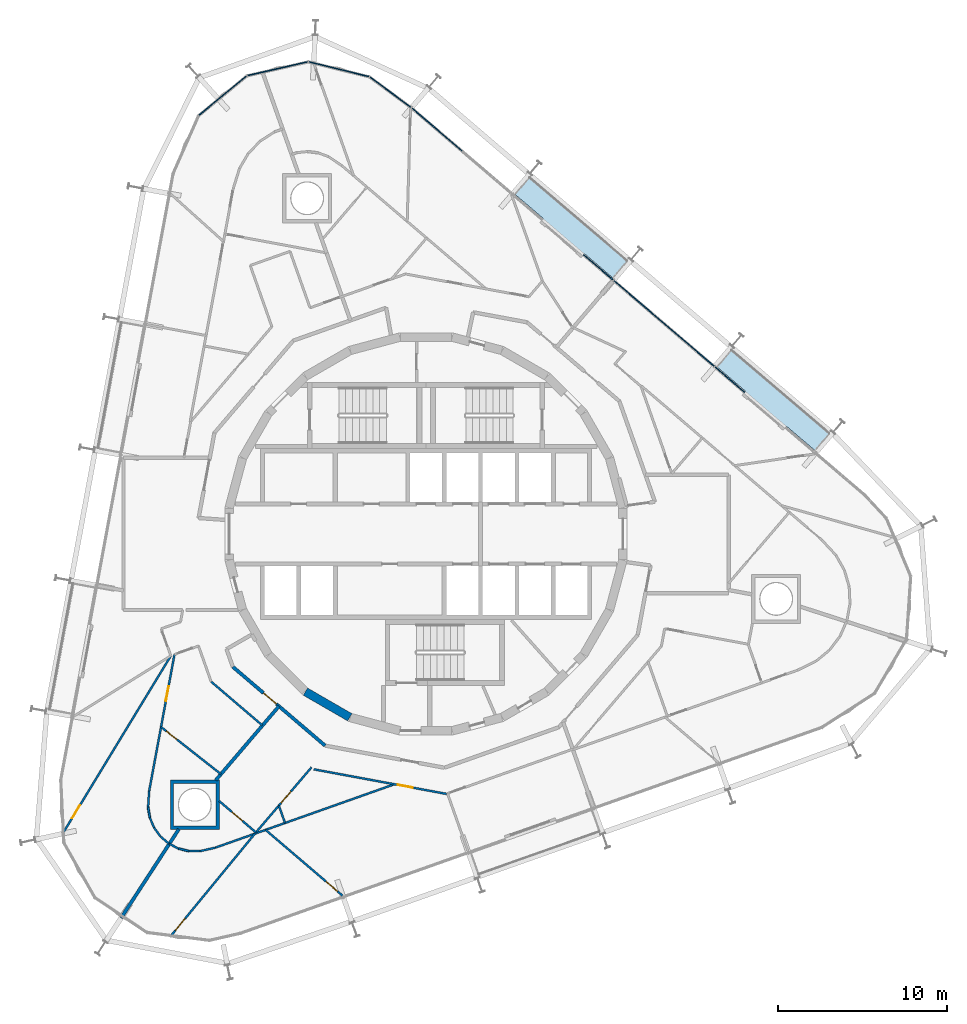
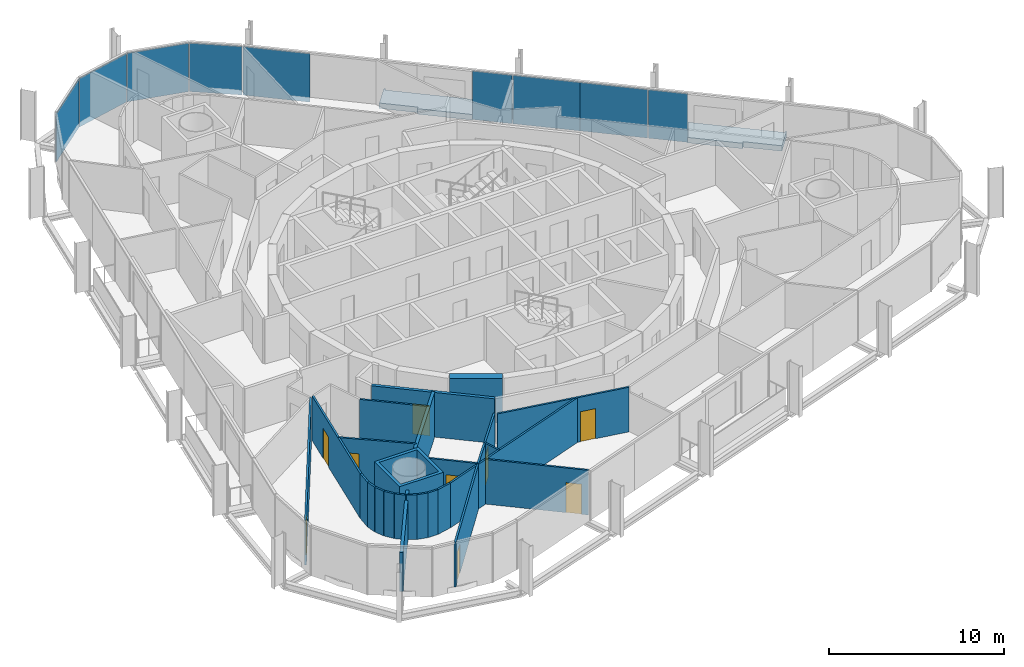
# One storey, part 10 of 17: 25 walls, 9 doors, 9 plates, 2 slabs, 9 openings, 2 elements without a shape of their own.
"""IFC4 building model written with IfcOpenShell, lengths in metres."""

from ifc_helpers import new_model, si_unit, direction, frame, frame_2d, origin, origin_2d, place, context, subcontext, project, spatial, polyline, rectangle, outline, extrude, material, layer, layer_set, type_object, element, fill, aggregate, save


model = new_model("IFC4")

# Units and contexts
model_context = context("Model", 3, precision=1e-05, world=origin(), true_north=direction((0.0, 1.0)))
body_context = subcontext(model_context, "Body", "Model", "MODEL_VIEW")
ifc_project = project(units=[si_unit("LENGTHUNIT", "METRE"), si_unit("AREAUNIT", "SQUARE_METRE"), si_unit("VOLUMEUNIT", "CUBIC_METRE"), si_unit("PLANEANGLEUNIT", "RADIAN"), si_unit("MASSUNIT", "GRAM", prefix="KILO")], contexts=[model_context])

# Site, building, storey
site_placement = place(None, origin())
site = spatial("IfcSite", under=ifc_project, at=site_placement, CompositionType="ELEMENT")
building_placement = place(site_placement, origin())
building = spatial("IfcBuilding", under=site, at=building_placement, Name="Spindle Arch Residences", CompositionType="ELEMENT")
storey_placement = place(building_placement, frame((0.0, 0.0, 169.199951171875)))
storey = spatial("IfcBuildingStorey", under=building, at=storey_placement, Name="L42", CompositionType="ELEMENT", Elevation=169.199951171875)

# Slabs
ifc_material_1 = material(Name="Concrete C40/50", Category="concrete")
ifc_layer_1 = layer(ifc_material_1, 0.3798828125)
ifc_layer_set_1 = layer_set([ifc_layer_1], Name="Balcony slab 380")
slab_type = type_object("IfcSlabType", Name="Balcony slab 380", PredefinedType="FLOOR", material=ifc_layer_set_1)
slab_1_placement = place(storey_placement, frame((0.0, 0.0, -0.3798828125)))
element("IfcSlab", 1, at=slab_1_placement, inside=storey, type_object=slab_type, Name="Balcony L42 bay 6", PredefinedType="FLOOR", context=body_context, shape_type="SweptSolid", body=[
    extrude(outline(polyline([(24.00830078125, 6.037353515625), (23.951171875, 6.0859375), (23.853759765625, 5.971923828125), (18.105224609375, 10.8818359375), (18.20263671875, 10.995849609375), (18.1455078125, 11.044677734375), (17.177734375, 9.91162109375), (18.892578125, 8.447021484375), (18.78857421875, 8.325439453125), (21.221923828125, 6.2470703125), (21.325927734375, 6.368896484375), (23.04052734375, 4.904296875), (24.00830078125, 6.037353515625)])), origin(), (0.0, 0.0, 1.0), 0.3798828125),
])
slab_2_placement = place(storey_placement, frame((0.0, 0.0, -0.3798828125)))
element("IfcSlab", 2, at=slab_2_placement, inside=storey, type_object=slab_type, Name="Balcony L42 bay 8", PredefinedType="FLOOR", context=body_context, shape_type="SweptSolid", body=[
    extrude(outline(polyline([(12.0546875, 16.246826171875), (11.99755859375, 16.29541015625), (11.900146484375, 16.181396484375), (6.1513671875, 21.09130859375), (6.248779296875, 21.205322265625), (6.19189453125, 21.25390625), (5.22412109375, 20.12109375), (6.93896484375, 18.656494140625), (6.8349609375, 18.534912109375), (9.268310546875, 16.45654296875), (9.3720703125, 16.578369140625), (11.0869140625, 15.11376953125), (12.0546875, 16.246826171875)])), origin(), (0.0, 0.0, 1.0), 0.3798828125),
])

# Curtain wall, plates
ifc_material_2 = material(Name="Aluminium bronze unitised frame with tinted glass", Category="aluminium")
ifc_layer_2 = layer(ifc_material_2, 0.159912109375)
ifc_layer_set_2 = layer_set([ifc_layer_2], Name="CW-C typical residential unitised wall")
curtain_wall_type_1 = type_object("IfcCurtainWallType", Name="CW-C typical residential unitised wall", PredefinedType="NOTDEFINED", material=ifc_layer_set_2)
curtain_wall_1_placement = place(storey_placement, origin())
curtain_wall_1 = element("IfcCurtainWall", 3, at=curtain_wall_1_placement, inside=storey, type_object=curtain_wall_type_1, Name="CW-C L42 run 2", PredefinedType="NOTDEFINED")
ifc_material_3 = material(Name="Tinted double glazing over aluminium faced non-combustible spandrel zone (K0)", Category="aluminium")
ifc_layer_3 = layer(ifc_material_3, 0.06005859375)
ifc_layer_set_3 = layer_set([ifc_layer_3], Name="Unitised glass panel with E 60 spandrel zone")
plate_type = type_object("IfcPlateType", Name="Unitised glass panel with E 60 spandrel zone", PredefinedType="CURTAIN_PANEL", material=ifc_layer_set_3)
plate_1_placement = place(storey_placement, frame((17.966064453125, 9.133056640625, -0.3798828125), z_axis=(0.0, 0.0, 1.0), x_axis=(-0.7604059656, 0.64944804833, 0.0)))
plate_1 = element("IfcPlate", 4, at=plate_1_placement, type_object=plate_type, Name="CW-C unit 05R", PredefinedType="CURTAIN_PANEL", context=body_context, shape_type="SweptSolid", body=[
    extrude(rectangle(XDim=2.300048828125, YDim=0.06005859375, at=origin_2d()), origin(), (0.0, 0.0, 1.0), 3.3798828125),
])
plate_2_placement = place(storey_placement, frame((15.563232421875, 11.185302734375, -0.3798828125), z_axis=(0.0, 0.0, 1.0), x_axis=(-0.7604059656, 0.64944804833, 0.0)))
plate_2 = element("IfcPlate", 5, at=plate_2_placement, type_object=plate_type, Name="CW-C unit 06A", PredefinedType="CURTAIN_PANEL", context=body_context, shape_type="SweptSolid", body=[
    extrude(rectangle(XDim=3.900146484375, YDim=0.06005859375, at=origin_2d()), origin(), (0.0, 0.0, 1.0), 3.3798828125),
])
plate_3_placement = place(storey_placement, frame((12.59765625, 13.71826171875, -0.3798828125), z_axis=(0.0, 0.0, 1.0), x_axis=(-0.7604059656, 0.64944804833, 0.0)))
plate_3 = element("IfcPlate", 6, at=plate_3_placement, type_object=plate_type, Name="CW-C unit 06B", PredefinedType="CURTAIN_PANEL", context=body_context, shape_type="SweptSolid", body=[
    extrude(rectangle(XDim=3.900146484375, YDim=0.06005859375, at=origin_2d()), origin(), (0.0, 0.0, 1.0), 3.3798828125),
])
plate_4_placement = place(storey_placement, frame((10.19482421875, 15.7705078125, -0.3798828125), z_axis=(0.0, 0.0, 1.0), x_axis=(-0.7604059656, 0.64944804833, 0.0)))
plate_4 = element("IfcPlate", 7, at=plate_4_placement, type_object=plate_type, Name="CW-C unit 07L", PredefinedType="CURTAIN_PANEL", context=body_context, shape_type="SweptSolid", body=[
    extrude(rectangle(XDim=2.300048828125, YDim=0.06005859375, at=origin_2d()), origin(), (0.0, 0.0, 1.0), 3.3798828125),
])
plate_5_placement = place(storey_placement, frame((0.643798828125, 23.927734375, -0.3798828125), z_axis=(0.0, 0.0, 1.0), x_axis=(-0.7604059656, 0.64944804833, 0.0)))
plate_5 = element("IfcPlate", 8, at=plate_5_placement, type_object=plate_type, Name="CW-C unit 08B", PredefinedType="CURTAIN_PANEL", context=body_context, shape_type="SweptSolid", body=[
    extrude(rectangle(XDim=3.900146484375, YDim=0.06005859375, at=origin_2d()), origin(), (0.0, 0.0, 1.0), 3.3798828125),
])
aggregate(curtain_wall_1, [plate_1, plate_2, plate_3, plate_4, plate_5])

ifc_material_4 = material(Name="Aluminium bronze unitised frame with tinted glass", Category="aluminium")
ifc_layer_4 = layer(ifc_material_4, 0.159912109375)
ifc_layer_set_4 = layer_set([ifc_layer_4], Name="CW-D corner wall on the fillet arcs")
curtain_wall_type_2 = type_object("IfcCurtainWallType", Name="CW-D corner wall on the fillet arcs", PredefinedType="NOTDEFINED", material=ifc_layer_set_4)
curtain_wall_2_placement = place(storey_placement, origin())
curtain_wall_2 = element("IfcCurtainWall", 9, at=curtain_wall_2_placement, inside=storey, type_object=curtain_wall_type_2, Name="CW-D L42 run 3", PredefinedType="NOTDEFINED")
plate_6_placement = place(storey_placement, frame((-2.102294921875, 26.1298828125, -0.3798828125), z_axis=(0.0, 0.0, 1.0), x_axis=(-0.804365716131, 0.594134492109, 0.0)))
plate_6 = element("IfcPlate", 10, at=plate_6_placement, type_object=plate_type, Name="CW-D unit 00", PredefinedType="CURTAIN_PANEL", context=body_context, shape_type="SweptSolid", body=[
    extrude(rectangle(XDim=3.0244140625, YDim=0.06005859375, at=origin_2d()), origin(), (0.0, 0.0, 1.0), 3.3798828125),
])
plate_7_placement = place(storey_placement, frame((-5.152099609375, 27.49169921875, -0.3798828125), z_axis=(0.0, 0.0, 1.0), x_axis=(-0.970995342056, 0.239098401721, 0.0)))
plate_7 = element("IfcPlate", 11, at=plate_7_placement, type_object=plate_type, Name="CW-D unit 01", PredefinedType="CURTAIN_PANEL", context=body_context, shape_type="SweptSolid", body=[
    extrude(rectangle(XDim=3.666748046875, YDim=0.06005859375, at=origin_2d()), origin(), (0.0, 0.0, 1.0), 3.3798828125),
])
plate_8_placement = place(storey_placement, frame((-8.7783203125, 27.5234375, -0.3798828125), z_axis=(0.0, 0.0, 1.0), x_axis=(-0.975020297449, -0.222115779633, 0.0)))
plate_8 = element("IfcPlate", 12, at=plate_8_placement, type_object=plate_type, Name="CW-D unit 02", PredefinedType="CURTAIN_PANEL", context=body_context, shape_type="SweptSolid", body=[
    extrude(rectangle(XDim=3.666748046875, YDim=0.06005859375, at=origin_2d()), origin(), (0.0, 0.0, 1.0), 3.3798828125),
])
plate_9_placement = place(storey_placement, frame((-12.032958984375, 25.92431640625, -0.3798828125), z_axis=(0.0, 0.0, 1.0), x_axis=(-0.771624583032, -0.636078220709, 0.0)))
plate_9 = element("IfcPlate", 13, at=plate_9_placement, type_object=plate_type, Name="CW-D unit 03", PredefinedType="CURTAIN_PANEL", context=body_context, shape_type="SweptSolid", body=[
    extrude(rectangle(XDim=3.666748046875, YDim=0.06005859375, at=origin_2d()), origin(), (0.0, 0.0, 1.0), 3.3798828125),
])
aggregate(curtain_wall_2, [plate_6, plate_7, plate_8, plate_9])

# Wall
ifc_material_5 = material(Name="Concrete C50/60", Category="concrete")
ifc_layer_5 = layer(ifc_material_5, 0.5)
ifc_layer_set_5 = layer_set([ifc_layer_5], Name="Core outline wall 500")
wall_type_1 = type_object("IfcWallType", Name="Core outline wall 500", PredefinedType="SHEAR", material=ifc_layer_set_5)
wall_1_placement = place(storey_placement, frame((-7.13671875, -9.32861328125, 0.0), z_axis=(0.0, 0.0, 1.0), x_axis=(0.865975092491, -0.500087131594, 0.0)))
element("IfcWall", 14, at=wall_1_placement, inside=storey, type_object=wall_type_1, Name="Core outline wall 22", PredefinedType="SHEAR", context=body_context, shape_type="SweptSolid", body=[
    extrude(rectangle(XDim=3.03271484375, YDim=0.5, at=frame_2d((1.516357421875, 0.0))), origin(), (0.0, 0.0, 1.0), 3.1201171875),
])

# Wall, opening, door
ifc_material_6 = material(Name="Calcium silicate block, plastered")
ifc_layer_6 = layer(ifc_material_6, 0.199951171875)
ifc_layer_set_6 = layer_set([ifc_layer_6], Name="Corridor wall 200")
wall_type_2 = type_object("IfcWallType", Name="Corridor wall 200", PredefinedType="STANDARD", material=ifc_layer_set_6)
wall_2_placement = place(storey_placement, frame((-11.432861328125, -7.857666015625, 0.0), z_axis=(0.0, 0.0, 1.0), x_axis=(0.760412154545, -0.649440801937, 0.0)))
wall_2 = element("IfcWall", 15, at=wall_2_placement, inside=storey, type_object=wall_type_2, Name="Corridor wall R4B1-W016", PredefinedType="STANDARD", context=body_context, shape_type="SweptSolid", body=[
    extrude(rectangle(XDim=7.180908203125, YDim=0.199951171875, at=frame_2d((3.59033203125, 0.0))), origin(), (0.0, 0.0, 1.0), 3.1201171875),
])
opening_1_placement = place(wall_2_placement, frame((2.390380859375, 0.0, 0.0)))
opening_1 = element("IfcOpeningElement", 16, at=opening_1_placement, cuts=wall_2, Name="Opening R4B1-FD04", PredefinedType="OPENING", context=body_context, shape_type="SweptSolid", body=[
    extrude(rectangle(XDim=1.0, YDim=2.10009765625, at=frame_2d((0.5, 1.050048828125))), frame((0.0, 0.10986328125, 0.0), z_axis=(0.0, -1.0, 0.0), x_axis=(1.0, 0.0, 0.0)), (0.0, 0.0, 1.0), 0.219970703125),
])
ifc_material_7 = material(Name="Timber, fire-resisting door set", Category="wood")
door_type_1 = type_object("IfcDoorType", Name="Flat entrance door 1000x2100", OperationType="NOTDEFINED", PredefinedType="DOOR", material=ifc_material_7)
door_1_placement = place(opening_1_placement, origin())
door_1 = element("IfcDoor", 17, at=door_1_placement, inside=storey, type_object=door_type_1, Name="Flat entrance door R4B1-FD04", OperationType="SINGLE_SWING_RIGHT", OverallHeight=2.10009765625, OverallWidth=1.0, PredefinedType="DOOR", context=body_context, shape_type="SweptSolid", body=[
    extrude(rectangle(XDim=1.0, YDim=2.10009765625, at=frame_2d((0.5, 1.050048828125))), frame((0.0, 0.02490234375, 0.0), z_axis=(0.0, -1.0, 0.0), x_axis=(1.0, 0.0, 0.0)), (0.0, 0.0, 1.0), 0.050048828125),
])
fill(opening_1, door_1)

# Wall
ifc_material_8 = material(Name="Plasterboard on steel studs", Category="steel")
ifc_layer_7 = layer(ifc_material_8, 0.1201171875)
ifc_layer_set_7 = layer_set([ifc_layer_7], Name="Flat partition 120")
wall_type_3 = type_object("IfcWallType", Name="Flat partition 120", PredefinedType="PARTITIONING", material=ifc_layer_set_7)
wall_3_placement = place(storey_placement, frame((-12.712646484375, -8.7373046875, 0.0), z_axis=(0.0, 0.0, 1.0), x_axis=(0.760420863476, -0.649430604754, 0.0)))
element("IfcWall", 18, at=wall_3_placement, inside=storey, type_object=wall_type_3, Name="Flat partition R4B1-W089", PredefinedType="PARTITIONING", context=body_context, shape_type="SweptSolid", body=[
    extrude(rectangle(XDim=3.992431640625, YDim=0.1201171875, at=frame_2d((1.99609375, 0.0))), origin(), (0.0, 0.0, 1.0), 3.1201171875),
])

# Wall, opening, door
wall_4_placement = place(storey_placement, frame((-21.461181640625, -17.6708984375, 0.0), z_axis=(0.0, 0.0, 1.0), x_axis=(0.519791999186, 0.854292852353, 0.0)))
wall_4 = element("IfcWall", 19, at=wall_4_placement, inside=storey, type_object=wall_type_3, Name="Flat partition R4B1-W091", PredefinedType="PARTITIONING", context=body_context, shape_type="SweptSolid", body=[
    extrude(rectangle(XDim=12.2470703125, YDim=0.1201171875, at=frame_2d((6.12353515625, 0.0))), origin(), (0.0, 0.0, 1.0), 3.1201171875),
])
opening_2_placement = place(wall_4_placement, frame((1.0, 0.0, 0.0)))
opening_2 = element("IfcOpeningElement", 20, at=opening_2_placement, cuts=wall_4, Name="Opening R4B1-ID20", PredefinedType="OPENING", context=body_context, shape_type="SweptSolid", body=[
    extrude(rectangle(XDim=0.89990234375, YDim=2.10009765625, at=frame_2d((0.449951171875, 1.050048828125))), frame((0.0, 0.070068359375, 0.0), z_axis=(0.0, -1.0, 0.0), x_axis=(1.0, 0.0, 0.0)), (0.0, 0.0, 1.0), 0.14013671875),
])
ifc_material_9 = material(Name="Timber door set", Category="wood")
door_type_2 = type_object("IfcDoorType", Name="Room door 900x2100", OperationType="NOTDEFINED", PredefinedType="DOOR", material=ifc_material_9)
door_2_placement = place(opening_2_placement, origin())
door_2 = element("IfcDoor", 21, at=door_2_placement, inside=storey, type_object=door_type_2, Name="Room door R4B1-ID20", OperationType="SINGLE_SWING_LEFT", OverallHeight=2.10009765625, OverallWidth=0.89990234375, PredefinedType="DOOR", context=body_context, shape_type="SweptSolid", body=[
    extrude(rectangle(XDim=0.89990234375, YDim=2.10009765625, at=frame_2d((0.449951171875, 1.050048828125))), frame((0.0, 0.02490234375, 0.0), z_axis=(0.0, -1.0, 0.0), x_axis=(1.0, 0.0, 0.0)), (0.0, 0.0, 1.0), 0.050048828125),
])
fill(opening_2, door_2)

wall_5_placement = place(storey_placement, frame((-14.882080078125, -7.1328125, 0.0), z_axis=(0.0, 0.0, 1.0), x_axis=(-0.182231858218, -0.983255587246, 0.0)))
wall_5 = element("IfcWall", 22, at=wall_5_placement, inside=storey, type_object=wall_type_3, Name="Flat partition R4B1-W092", PredefinedType="PARTITIONING", context=body_context, shape_type="SweptSolid", body=[
    extrude(rectangle(XDim=8.215087890625, YDim=0.1201171875, at=frame_2d((4.107421875, 0.0))), origin(), (0.0, 0.0, 1.0), 3.1201171875),
])
opening_3_placement = place(wall_5_placement, frame((1.89990234375, 0.0, 0.0)))
opening_3 = element("IfcOpeningElement", 23, at=opening_3_placement, cuts=wall_5, Name="Opening R4B1-ID19", PredefinedType="OPENING", context=body_context, shape_type="SweptSolid", body=[
    extrude(rectangle(XDim=0.89990234375, YDim=2.10009765625, at=frame_2d((0.449951171875, 1.050048828125))), frame((0.0, 0.070068359375, 0.0), z_axis=(0.0, -1.0, 0.0), x_axis=(1.0, 0.0, 0.0)), (0.0, 0.0, 1.0), 0.14013671875),
])
door_3_placement = place(opening_3_placement, origin())
door_3 = element("IfcDoor", 24, at=door_3_placement, inside=storey, type_object=door_type_2, Name="Room door R4B1-ID19", OperationType="SINGLE_SWING_RIGHT", OverallHeight=2.10009765625, OverallWidth=0.89990234375, PredefinedType="DOOR", context=body_context, shape_type="SweptSolid", body=[
    extrude(rectangle(XDim=0.89990234375, YDim=2.10009765625, at=frame_2d((0.449951171875, 1.050048828125))), frame((0.0, 0.02490234375, 0.0), z_axis=(0.0, -1.0, 0.0), x_axis=(1.0, 0.0, 0.0)), (0.0, 0.0, 1.0), 0.050048828125),
])
fill(opening_3, door_3)

wall_6_placement = place(storey_placement, frame((-15.676513671875, -11.419921875, 0.0), z_axis=(0.0, 0.0, 1.0), x_axis=(0.785821888461, -0.618452875824, 0.0)))
wall_6 = element("IfcWall", 25, at=wall_6_placement, inside=storey, type_object=wall_type_3, Name="Flat partition R4B1-W093", PredefinedType="PARTITIONING", context=body_context, shape_type="SweptSolid", body=[
    extrude(rectangle(XDim=4.50732421875, YDim=0.1201171875, at=frame_2d((2.253662109375, 0.0))), origin(), (0.0, 0.0, 1.0), 3.1201171875),
])
opening_4_placement = place(wall_6_placement, frame((0.39990234375, 0.0, 0.0)))
opening_4 = element("IfcOpeningElement", 26, at=opening_4_placement, cuts=wall_6, Name="Opening R4B1-BD04", PredefinedType="OPENING", context=body_context, shape_type="SweptSolid", body=[
    extrude(rectangle(XDim=0.800048828125, YDim=2.10009765625, at=frame_2d((0.39990234375, 1.050048828125))), frame((0.0, 0.070068359375, 0.0), z_axis=(0.0, -1.0, 0.0), x_axis=(1.0, 0.0, 0.0)), (0.0, 0.0, 1.0), 0.14013671875),
])
ifc_material_10 = material(Name="Timber door set", Category="wood")
door_type_3 = type_object("IfcDoorType", Name="Bathroom door 800x2100", OperationType="NOTDEFINED", PredefinedType="DOOR", material=ifc_material_10)
door_4_placement = place(opening_4_placement, origin())
door_4 = element("IfcDoor", 27, at=door_4_placement, inside=storey, type_object=door_type_3, Name="Bathroom door R4B1-BD04", OperationType="SINGLE_SWING_RIGHT", OverallHeight=2.10009765625, OverallWidth=0.800048828125, PredefinedType="DOOR", context=body_context, shape_type="SweptSolid", body=[
    extrude(rectangle(XDim=0.800048828125, YDim=2.10009765625, at=frame_2d((0.39990234375, 1.050048828125))), frame((0.0, 0.02490234375, 0.0), z_axis=(0.0, -1.0, 0.0), x_axis=(1.0, 0.0, 0.0)), (0.0, 0.0, 1.0), 0.050048828125),
])
fill(opening_4, door_4)

# Walls
for number, where, z_axis, x_axis, name in (
    (28, (-15.220458984375, -18.315185546875, 0.0), (0.0, 0.0, 1.0), (-0.760275843649, 0.649600370662, 0.0), "Flat partition R4B1-W094"),
    (29, (-15.70849609375, -17.898193359375, 0.0), (0.0, 0.0, 1.0), (-0.590340795198, 0.807154102712, 0.0), "Flat partition R4B1-W095"),
):
    element("IfcWall", number, at=place(storey_placement, frame(where, z_axis=z_axis, x_axis=x_axis)), inside=storey, type_object=wall_type_3, Name=name, PredefinedType="PARTITIONING", context=body_context, shape_type="SweptSolid", body=[
        extrude(rectangle(XDim=0.641845703125, YDim=0.1201171875, at=frame_2d((0.32080078125, 0.0))), origin(), (0.0, 0.0, 1.0), 3.1201171875),
    ])
wall_7_placement = place(storey_placement, frame((-16.08740234375, -17.380126953125, 0.0), z_axis=(0.0, 0.0, 1.0), x_axis=(-0.387852998664, 0.921721243884, 0.0)))
element("IfcWall", 30, at=wall_7_placement, inside=storey, type_object=wall_type_3, Name="Flat partition R4B1-W096", PredefinedType="PARTITIONING", context=body_context, shape_type="SweptSolid", body=[
    extrude(rectangle(XDim=0.64208984375, YDim=0.1201171875, at=frame_2d((0.321044921875, 0.0))), origin(), (0.0, 0.0, 1.0), 3.1201171875),
])
wall_8_placement = place(storey_placement, frame((-16.33642578125, -16.788330078125, 0.0), z_axis=(0.0, 0.0, 1.0), x_axis=(-0.165077433319, 0.986280609669, 0.0)))
element("IfcWall", 31, at=wall_8_placement, inside=storey, type_object=wall_type_3, Name="Flat partition R4B1-W097", PredefinedType="PARTITIONING", context=body_context, shape_type="SweptSolid", body=[
    extrude(rectangle(XDim=0.641845703125, YDim=0.1201171875, at=frame_2d((0.32080078125, 0.0))), origin(), (0.0, 0.0, 1.0), 3.1201171875),
])
wall_9_placement = place(storey_placement, frame((-16.4423828125, -16.1552734375, 0.0), z_axis=(0.0, 0.0, 1.0), x_axis=(0.066775688713, 0.997768012815, 0.0)))
element("IfcWall", 32, at=wall_9_placement, inside=storey, type_object=wall_type_3, Name="Flat partition R4B1-W098", PredefinedType="PARTITIONING", context=body_context, shape_type="SweptSolid", body=[
    extrude(rectangle(XDim=0.947021484375, YDim=0.1201171875, at=frame_2d((0.4736328125, 0.0))), origin(), (0.0, 0.0, 1.0), 3.1201171875),
])

# Wall, opening, door
wall_10_placement = place(storey_placement, frame((-12.231201171875, -15.803955078125, 0.0), z_axis=(0.0, 0.0, 1.0), x_axis=(0.760403625387, -0.649450788357, 0.0)))
wall_10 = element("IfcWall", 33, at=wall_10_placement, inside=storey, type_object=wall_type_3, Name="Flat partition R4B1-W099", PredefinedType="PARTITIONING", context=body_context, shape_type="SweptSolid", body=[
    extrude(rectangle(XDim=2.851806640625, YDim=0.1201171875, at=frame_2d((1.42578125, 0.0))), origin(), (0.0, 0.0, 1.0), 3.1201171875),
])
opening_5_placement = place(wall_10_placement, frame((1.0, 0.0, 0.0)))
opening_5 = element("IfcOpeningElement", 34, at=opening_5_placement, cuts=wall_10, Name="Opening R4B1-BD05", PredefinedType="OPENING", context=body_context, shape_type="SweptSolid", body=[
    extrude(rectangle(XDim=0.800048828125, YDim=2.10009765625, at=frame_2d((0.39990234375, 1.050048828125))), frame((0.0, 0.070068359375, 0.0), z_axis=(0.0, -1.0, 0.0), x_axis=(1.0, 0.0, 0.0)), (0.0, 0.0, 1.0), 0.14013671875),
])
door_5_placement = place(opening_5_placement, origin())
door_5 = element("IfcDoor", 35, at=door_5_placement, inside=storey, type_object=door_type_3, Name="Bathroom door R4B1-BD05", OperationType="SINGLE_SWING_LEFT", OverallHeight=2.10009765625, OverallWidth=0.800048828125, PredefinedType="DOOR", context=body_context, shape_type="SweptSolid", body=[
    extrude(rectangle(XDim=0.800048828125, YDim=2.10009765625, at=frame_2d((0.39990234375, 1.050048828125))), frame((0.0, 0.02490234375, 0.0), z_axis=(0.0, -1.0, 0.0), x_axis=(1.0, 0.0, 0.0)), (0.0, 0.0, 1.0), 0.050048828125),
])
fill(opening_5, door_5)

wall_11_placement = place(storey_placement, frame((-10.062744140625, -17.656005859375, 0.0), z_axis=(0.0, 0.0, 1.0), x_axis=(0.649451567172, 0.760402960211, 0.0)))
wall_11 = element("IfcWall", 36, at=wall_11_placement, inside=storey, type_object=wall_type_3, Name="Flat partition R4B1-W100", PredefinedType="PARTITIONING", context=body_context, shape_type="SweptSolid", body=[
    extrude(rectangle(XDim=5.06103515625, YDim=0.1201171875, at=frame_2d((2.530517578125, 0.0))), origin(), (0.0, 0.0, 1.0), 3.1201171875),
])
opening_6_placement = place(wall_11_placement, frame((2.287841796875, 0.0, 0.0)))
opening_6 = element("IfcOpeningElement", 37, at=opening_6_placement, cuts=wall_11, Name="Opening R4B1-ID21", PredefinedType="OPENING", context=body_context, shape_type="SweptSolid", body=[
    extrude(rectangle(XDim=0.89990234375, YDim=2.10009765625, at=frame_2d((0.449951171875, 1.050048828125))), frame((0.0, 0.070068359375, 0.0), z_axis=(0.0, -1.0, 0.0), x_axis=(1.0, 0.0, 0.0)), (0.0, 0.0, 1.0), 0.14013671875),
])
door_6_placement = place(opening_6_placement, origin())
door_6 = element("IfcDoor", 38, at=door_6_placement, inside=storey, type_object=door_type_2, Name="Room door R4B1-ID21", OperationType="SINGLE_SWING_LEFT", OverallHeight=2.10009765625, OverallWidth=0.89990234375, PredefinedType="DOOR", context=body_context, shape_type="SweptSolid", body=[
    extrude(rectangle(XDim=0.89990234375, YDim=2.10009765625, at=frame_2d((0.449951171875, 1.050048828125))), frame((0.0, 0.02490234375, 0.0), z_axis=(0.0, -1.0, 0.0), x_axis=(1.0, 0.0, 0.0)), (0.0, 0.0, 1.0), 0.050048828125),
])
fill(opening_6, door_6)

wall_12_placement = place(storey_placement, frame((-6.640869140625, -13.9228515625, 0.0), z_axis=(0.0, 0.0, 1.0), x_axis=(0.983250157272, -0.182261153912, 0.0)))
wall_12 = element("IfcWall", 39, at=wall_12_placement, inside=storey, type_object=wall_type_3, Name="Flat partition R4B1-W101", PredefinedType="PARTITIONING", context=body_context, shape_type="SweptSolid", body=[
    extrude(rectangle(XDim=7.98486328125, YDim=0.1201171875, at=frame_2d((3.992431640625, 0.0))), origin(), (0.0, 0.0, 1.0), 3.1201171875),
])
opening_7_placement = place(wall_12_placement, frame((5.05078125, 0.0, 0.0)))
opening_7 = element("IfcOpeningElement", 40, at=opening_7_placement, cuts=wall_12, Name="Opening R4B1-ID22", PredefinedType="OPENING", context=body_context, shape_type="SweptSolid", body=[
    extrude(rectangle(XDim=0.89990234375, YDim=2.10009765625, at=frame_2d((0.449951171875, 1.050048828125))), frame((0.0, 0.070068359375, 0.0), z_axis=(0.0, -1.0, 0.0), x_axis=(1.0, 0.0, 0.0)), (0.0, 0.0, 1.0), 0.14013671875),
])
door_7_placement = place(opening_7_placement, origin())
door_7 = element("IfcDoor", 41, at=door_7_placement, inside=storey, type_object=door_type_2, Name="Room door R4B1-ID22", OperationType="SINGLE_SWING_LEFT", OverallHeight=2.10009765625, OverallWidth=0.89990234375, PredefinedType="DOOR", context=body_context, shape_type="SweptSolid", body=[
    extrude(rectangle(XDim=0.89990234375, YDim=2.10009765625, at=frame_2d((0.449951171875, 1.050048828125))), frame((0.0, 0.02490234375, 0.0), z_axis=(0.0, -1.0, 0.0), x_axis=(1.0, 0.0, 0.0)), (0.0, 0.0, 1.0), 0.050048828125),
])
fill(opening_7, door_7)

# Walls
wall_13_placement = place(storey_placement, frame((-1.871337890625, -14.806884765625, 0.0), z_axis=(0.0, 0.0, 1.0), x_axis=(-0.942640759962, -0.333808923874, 0.0)))
element("IfcWall", 42, at=wall_13_placement, inside=storey, type_object=wall_type_3, Name="Flat partition R4B1-W103", PredefinedType="PARTITIONING", context=body_context, shape_type="SweptSolid", body=[
    extrude(rectangle(XDim=11.23388671875, YDim=0.1201171875, at=frame_2d((5.616943359375, 0.0))), origin(), (0.0, 0.0, 1.0), 3.1201171875),
])
wall_14_placement = place(storey_placement, frame((-12.4609375, -18.556884765625, 0.0), z_axis=(0.0, 0.0, 1.0), x_axis=(-0.975039040601, -0.222033486897, 0.0)))
element("IfcWall", 43, at=wall_14_placement, inside=storey, type_object=wall_type_3, Name="Flat partition R4B1-W104", PredefinedType="PARTITIONING", context=body_context, shape_type="SweptSolid", body=[
    extrude(rectangle(XDim=0.94677734375, YDim=0.1201171875, at=frame_2d((0.473388671875, 0.0))), origin(), (0.0, 0.0, 1.0), 3.1201171875),
])
wall_15_placement = place(storey_placement, frame((-13.384033203125, -18.76708984375, 0.0), z_axis=(0.0, 0.0, 1.0), x_axis=(-0.999965015064, 0.008364726362, 0.0)))
element("IfcWall", 44, at=wall_15_placement, inside=storey, type_object=wall_type_3, Name="Flat partition R4B1-W105", PredefinedType="PARTITIONING", context=body_context, shape_type="SweptSolid", body=[
    extrude(rectangle(XDim=0.64208984375, YDim=0.1201171875, at=frame_2d((0.321044921875, 0.0))), origin(), (0.0, 0.0, 1.0), 3.1201171875),
])
wall_16_placement = place(storey_placement, frame((-14.026123046875, -18.76171875, 0.0), z_axis=(0.0, 0.0, 1.0), x_axis=(-0.970964611728, 0.239223165208, 0.0)))
element("IfcWall", 45, at=wall_16_placement, inside=storey, type_object=wall_type_3, Name="Flat partition R4B1-W106", PredefinedType="PARTITIONING", context=body_context, shape_type="SweptSolid", body=[
    extrude(rectangle(XDim=0.641845703125, YDim=0.1201171875, at=frame_2d((0.32080078125, 0.0))), origin(), (0.0, 0.0, 1.0), 3.1201171875),
])
wall_17_placement = place(storey_placement, frame((-14.6494140625, -18.608154296875, 0.0), z_axis=(0.0, 0.0, 1.0), x_axis=(-0.889695551631, 0.456554296232, 0.0)))
element("IfcWall", 46, at=wall_17_placement, inside=storey, type_object=wall_type_3, Name="Flat partition R4B1-W107", PredefinedType="PARTITIONING", context=body_context, shape_type="SweptSolid", body=[
    extrude(rectangle(XDim=0.604736328125, YDim=0.1201171875, at=frame_2d((0.30224609375, 0.0))), origin(), (0.0, 0.0, 1.0), 3.1201171875),
])

# Wall, opening, door
wall_18_placement = place(storey_placement, frame((-15.146484375, -23.841064453125, 0.0), z_axis=(0.0, 0.0, 1.0), x_axis=(0.634970373647, 0.772536487547, 0.0)))
wall_18 = element("IfcWall", 47, at=wall_18_placement, inside=storey, type_object=wall_type_3, Name="Flat partition R4B1-W108", PredefinedType="PARTITIONING", context=body_context, shape_type="SweptSolid", body=[
    extrude(rectangle(XDim=7.91162109375, YDim=0.1201171875, at=frame_2d((3.955810546875, 0.0))), origin(), (0.0, 0.0, 1.0), 3.1201171875),
])
opening_8_placement = place(wall_18_placement, frame((0.5, 0.0, 0.0)))
opening_8 = element("IfcOpeningElement", 48, at=opening_8_placement, cuts=wall_18, Name="Opening R4B1-ID25", PredefinedType="OPENING", context=body_context, shape_type="SweptSolid", body=[
    extrude(rectangle(XDim=0.89990234375, YDim=2.10009765625, at=frame_2d((0.449951171875, 1.050048828125))), frame((0.0, 0.070068359375, 0.0), z_axis=(0.0, -1.0, 0.0), x_axis=(1.0, 0.0, 0.0)), (0.0, 0.0, 1.0), 0.14013671875),
])
door_8_placement = place(opening_8_placement, origin())
door_8 = element("IfcDoor", 49, at=door_8_placement, inside=storey, type_object=door_type_2, Name="Room door R4B1-ID25", OperationType="SINGLE_SWING_LEFT", OverallHeight=2.10009765625, OverallWidth=0.89990234375, PredefinedType="DOOR", context=body_context, shape_type="SweptSolid", body=[
    extrude(rectangle(XDim=0.89990234375, YDim=2.10009765625, at=frame_2d((0.449951171875, 1.050048828125))), frame((0.0, 0.02490234375, 0.0), z_axis=(0.0, -1.0, 0.0), x_axis=(1.0, 0.0, 0.0)), (0.0, 0.0, 1.0), 0.050048828125),
])
fill(opening_8, door_8)

# Wall
wall_19_placement = place(storey_placement, frame((-8.342041015625, -17.098388671875, 0.0), z_axis=(0.0, 0.0, 1.0), x_axis=(-0.333801646268, 0.942643337084, 0.0)))
element("IfcWall", 50, at=wall_19_placement, inside=storey, type_object=wall_type_3, Name="Flat partition R4B1-W109", PredefinedType="PARTITIONING", context=body_context, shape_type="SweptSolid", body=[
    extrude(rectangle(XDim=1.0927734375, YDim=0.1201171875, at=frame_2d((0.54638671875, 0.0))), origin(), (0.0, 0.0, 1.0), 3.1201171875),
])

# Wall, opening, door
wall_20_placement = place(storey_placement, frame((-4.927490234375, -21.405517578125, 0.0), z_axis=(0.0, 0.0, 1.0), x_axis=(-0.760409236665, 0.649444218385, 0.0)))
wall_20 = element("IfcWall", 51, at=wall_20_placement, inside=storey, type_object=wall_type_3, Name="Flat partition R4B1-W110", PredefinedType="PARTITIONING", context=body_context, shape_type="SweptSolid", body=[
    extrude(rectangle(XDim=6.004150390625, YDim=0.1201171875, at=frame_2d((3.001953125, 0.0))), origin(), (0.0, 0.0, 1.0), 3.1201171875),
])
opening_9_placement = place(wall_20_placement, frame((0.39990234375, 0.0, 0.0)))
opening_9 = element("IfcOpeningElement", 52, at=opening_9_placement, cuts=wall_20, Name="Opening R4B1-ID24", PredefinedType="OPENING", context=body_context, shape_type="SweptSolid", body=[
    extrude(rectangle(XDim=0.89990234375, YDim=2.10009765625, at=frame_2d((0.449951171875, 1.050048828125))), frame((0.0, 0.070068359375, 0.0), z_axis=(0.0, -1.0, 0.0), x_axis=(1.0, 0.0, 0.0)), (0.0, 0.0, 1.0), 0.14013671875),
])
door_9_placement = place(opening_9_placement, origin())
door_9 = element("IfcDoor", 53, at=door_9_placement, inside=storey, type_object=door_type_2, Name="Room door R4B1-ID24", OperationType="SINGLE_SWING_LEFT", OverallHeight=2.10009765625, OverallWidth=0.89990234375, PredefinedType="DOOR", context=body_context, shape_type="SweptSolid", body=[
    extrude(rectangle(XDim=0.89990234375, YDim=2.10009765625, at=frame_2d((0.449951171875, 1.050048828125))), frame((0.0, 0.02490234375, 0.0), z_axis=(0.0, -1.0, 0.0), x_axis=(1.0, 0.0, 0.0)), (0.0, 0.0, 1.0), 0.050048828125),
])
fill(opening_9, door_9)

# Walls
ifc_material_11 = material(Name="Calcium silicate block, plastered")
ifc_layer_8 = layer(ifc_material_11, 0.199951171875)
ifc_layer_set_8 = layer_set([ifc_layer_8], Name="Flat party wall 200")
wall_type_4 = type_object("IfcWallType", Name="Flat party wall 200", PredefinedType="STANDARD", material=ifc_layer_set_8)
wall_21_placement = place(storey_placement, frame((-12.44140625, -14.568603515625, 0.0), z_axis=(0.0, 0.0, 1.0), x_axis=(0.649446013128, 0.760407703822, 0.0)))
element("IfcWall", 54, at=wall_21_placement, inside=storey, type_object=wall_type_4, Name="Flat party wall R4B1-W035", PredefinedType="STANDARD", context=body_context, shape_type="SweptSolid", body=[
    extrude(rectangle(XDim=5.758056640625, YDim=0.199951171875, at=frame_2d((2.87890625, 0.0))), origin(), (0.0, 0.0, 1.0), 3.1201171875),
])
ifc_material_12 = material(Name="Calcium silicate block, plastered")
ifc_layer_9 = layer(ifc_material_12, 0.199951171875)
ifc_layer_set_9 = layer_set([ifc_layer_9], Name="Flat party wall 200 under beam 2730")
wall_type_5 = type_object("IfcWallType", Name="Flat party wall 200 under beam 2730", PredefinedType="STANDARD", material=ifc_layer_set_9)
wall_22_placement = place(storey_placement, frame((-18.039794921875, -22.712890625, 0.0), z_axis=(0.0, 0.0, 1.0), x_axis=(0.545628572271, 0.838027124335, 0.0)))
element("IfcWall", 55, at=wall_22_placement, inside=storey, type_object=wall_type_5, Name="Flat party wall R4B1-W036", PredefinedType="STANDARD", context=body_context, shape_type="SweptSolid", body=[
    extrude(rectangle(XDim=6.258056640625, YDim=0.199951171875, at=frame_2d((3.12890625, 0.0))), origin(), (0.0, 0.0, 1.0), 2.72998046875),
])
ifc_material_13 = material(Name="Calcium silicate block, plastered")
ifc_layer_10 = layer(ifc_material_13, 0.199951171875)
ifc_layer_set_10 = layer_set([ifc_layer_10], Name="Mega-column casing wall 200")
wall_type_6 = type_object("IfcWallType", Name="Mega-column casing wall 200", PredefinedType="STANDARD", material=ifc_layer_set_10)
wall_23_placement = place(storey_placement, origin())
element("IfcWall", 56, at=wall_23_placement, inside=storey, type_object=wall_type_6, Name="Mega-column casing wall R4B1-WC02", PredefinedType="STANDARD", context=body_context, shape_type="SweptSolid", body=[
    extrude(outline(polyline([(-12.231201171875, -14.568603515625), (-12.231201171875, -17.468505859375), (-15.131103515625, -17.468505859375), (-15.131103515625, -14.568603515625), (-12.231201171875, -14.568603515625)]), holes=[polyline([(-14.93115234375, -17.2685546875), (-12.43115234375, -17.2685546875), (-12.43115234375, -14.7685546875), (-14.93115234375, -14.7685546875), (-14.93115234375, -17.2685546875)])]), origin(), (0.0, 0.0, 1.0), 3.1201171875),
])

save(model, "model.ifc")
